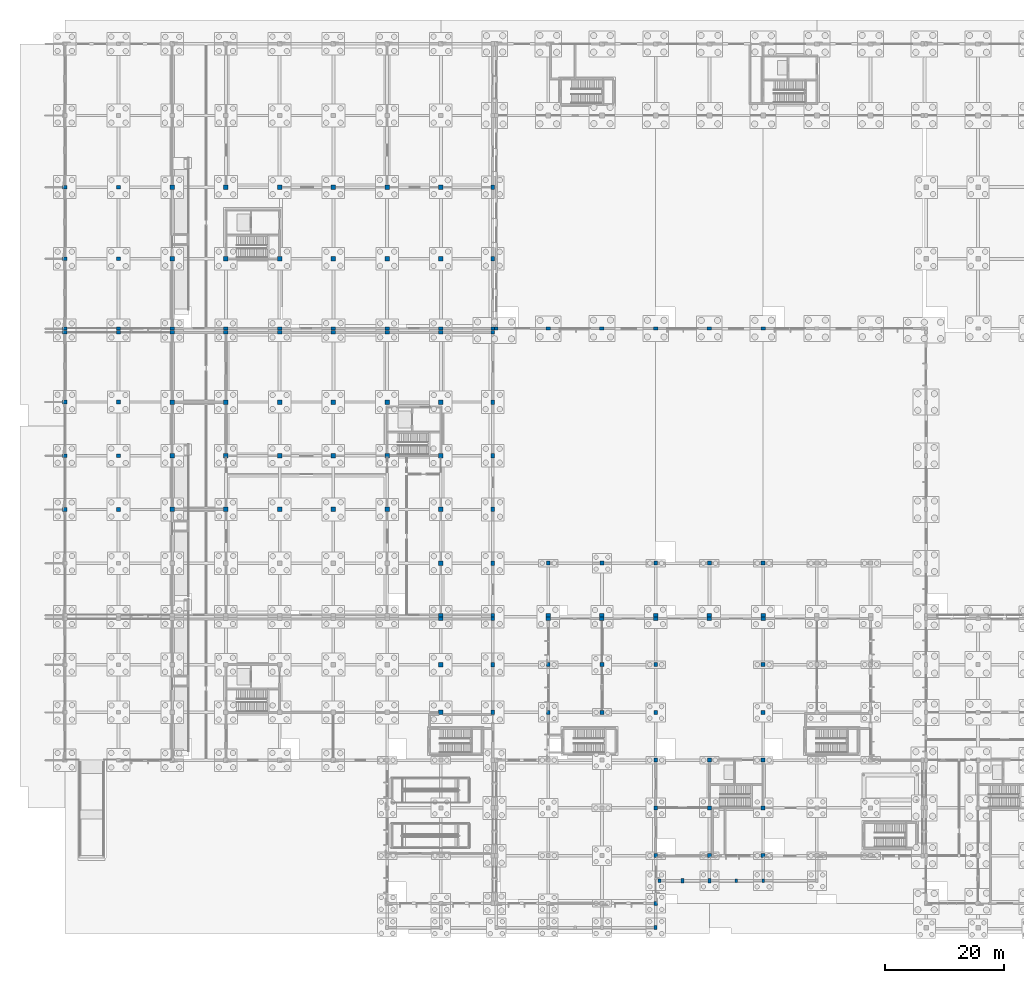
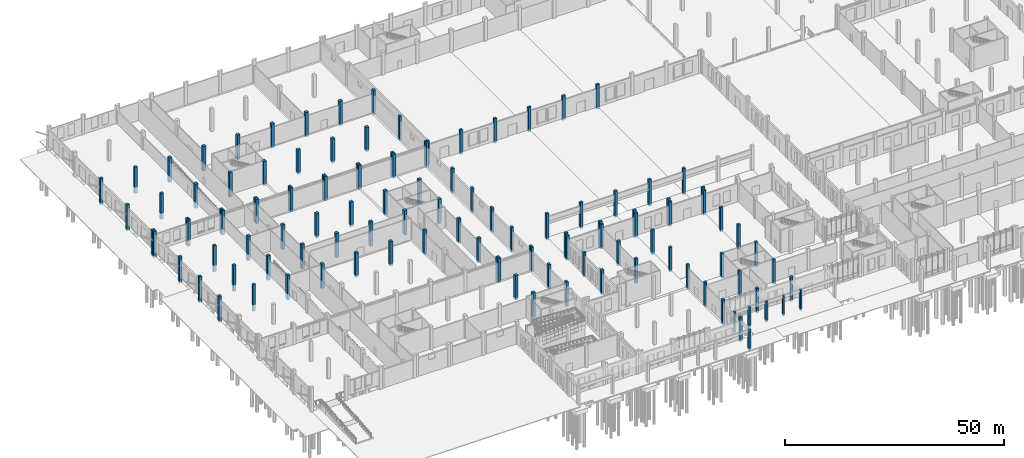
# One storey, part 29 of 99: 118 columns.
"""IFC4 building model written with IfcOpenShell, lengths in metres."""

from ifc_helpers import new_model, si_unit, direction, frame, origin, origin_2d, place, context, subcontext, project, spatial, rectangle, extrude, material, material_profile, profile_set, type_object, element, save


model = new_model("IFC4")

# Units and contexts
model_context = context("Model", 3, precision=1e-05, world=origin(), true_north=direction((0.0, 1.0)))
body_context = subcontext(model_context, "Body", "Model", "MODEL_VIEW")
ifc_project = project(units=[si_unit("LENGTHUNIT", "METRE"), si_unit("AREAUNIT", "SQUARE_METRE"), si_unit("VOLUMEUNIT", "CUBIC_METRE"), si_unit("PLANEANGLEUNIT", "RADIAN"), si_unit("MASSUNIT", "GRAM", prefix="KILO")], contexts=[model_context])

# Site, building, storey
site_placement = place(None, origin())
site = spatial("IfcSite", under=ifc_project, at=site_placement, CompositionType="ELEMENT")
building_placement = place(site_placement, origin())
building = spatial("IfcBuilding", under=site, at=building_placement, Name="Zacnel Wholesale Market", CompositionType="ELEMENT")
storey_placement = place(building_placement, origin())
storey = spatial("IfcBuildingStorey", under=building, at=storey_placement, Name="L01", CompositionType="ELEMENT", Elevation=0.0)

# Columns
ifc_material_1 = material(Name="Precast concrete C45/55", Category="concrete")
ifc_material_profile_1 = material_profile(ifc_material_1, rectangle(XDim=0.550048828125, YDim=0.75, at=origin_2d()), Name="PC 550x750")
ifc_profile_set_1 = profile_set([ifc_material_profile_1], Name="Precast concrete C45/55")
column_type_1 = type_object("IfcColumnType", Name="COL-MJ550X750", PredefinedType="COLUMN", material=ifc_profile_set_1)
for number, where, z_axis, x_axis, name in (
    (1, (71.699951171875, 32.0, -0.5), (0.0, 0.0, 1.0), (1.0, 0.0, 0.0), "Precast column L01-0131"),
    (2, (71.699951171875, 40.0, -0.5), (0.0, 0.0, 1.0), (1.0, 0.0, 0.0), "Precast column L01-0132"),
    (3, (71.699951171875, 57.0, -0.5), (0.0, 0.0, 1.0), (1.0, 0.0, 0.0), "Precast column L01-0135"),
    (4, (71.699951171875, 66.0, -0.5), (0.0, 0.0, 1.0), (1.0, 0.0, 0.0), "Precast column L01-0136"),
    (5, (71.699951171875, 75.0, -0.5), (0.0, 0.0, 1.0), (1.0, 0.0, 0.0), "Precast column L01-0137"),
    (6, (71.699951171875, 84.0, -0.5), (0.0, 0.0, 1.0), (1.0, 0.0, 0.0), "Precast column L01-0138"),
    (7, (71.699951171875, 108.0, -0.5), (0.0, 0.0, 1.0), (1.0, 0.0, 0.0), "Precast column L01-0141"),
    (8, (71.699951171875, 120.0, -0.5), (0.0, 0.0, 1.0), (1.0, 0.0, 0.0), "Precast column L01-0142"),
):
    element("IfcColumn", number, at=place(storey_placement, frame(where, z_axis=z_axis, x_axis=x_axis)), inside=storey, type_object=column_type_1, Name=name, PredefinedType="COLUMN", context=body_context, shape_type="SweptSolid", body=[
        extrude(rectangle(XDim=0.550048828125, YDim=0.75, at=origin_2d()), origin(), (0.0, 0.0, 1.0), 6.800048828125),
    ])
ifc_material_2 = material(Name="Precast concrete C45/55", Category="concrete")
ifc_material_profile_2 = material_profile(ifc_material_2, rectangle(XDim=0.75, YDim=0.550048828125, at=origin_2d()), Name="PC 750x550")
ifc_profile_set_2 = profile_set([ifc_material_profile_2], Name="Precast concrete C45/55")
column_type_2 = type_object("IfcColumnType", Name="COL-MJ750X550", PredefinedType="COLUMN", material=ifc_profile_set_2)
for number, where, z_axis, x_axis, name in (
    (9, (0.0, 95.699951171875, -0.5), (0.0, 0.0, 1.0), (1.0, 0.0, 0.0), "Precast column L01-0010"),
    (10, (0.0, 96.300048828125, -0.5), (0.0, 0.0, 1.0), (1.0, 0.0, 0.0), "Precast column L01-0011"),
    (11, (9.0, 95.699951171875, -0.5), (0.0, 0.0, 1.0), (1.0, 0.0, 0.0), "Precast column L01-0025"),
    (12, (9.0, 96.300048828125, -0.5), (0.0, 0.0, 1.0), (1.0, 0.0, 0.0), "Precast column L01-0026"),
):
    element("IfcColumn", number, at=place(storey_placement, frame(where, z_axis=z_axis, x_axis=x_axis)), inside=storey, type_object=column_type_2, Name=name, PredefinedType="COLUMN", context=body_context, shape_type="SweptSolid", body=[
        extrude(rectangle(XDim=0.75, YDim=0.550048828125, at=origin_2d()), origin(), (0.0, 0.0, 1.0), 7.300048828125),
    ])
for number, where, z_axis, x_axis, name in (
    (13, (18.0, 95.699951171875, -0.5), (0.0, 0.0, 1.0), (1.0, 0.0, 0.0), "Precast column L01-0040"),
    (14, (18.0, 96.300048828125, -0.5), (0.0, 0.0, 1.0), (1.0, 0.0, 0.0), "Precast column L01-0041"),
    (15, (27.0, 95.699951171875, -0.5), (0.0, 0.0, 1.0), (1.0, 0.0, 0.0), "Precast column L01-0055"),
    (16, (27.0, 96.300048828125, -0.5), (0.0, 0.0, 1.0), (1.0, 0.0, 0.0), "Precast column L01-0056"),
    (17, (36.0, 95.699951171875, -0.5), (0.0, 0.0, 1.0), (1.0, 0.0, 0.0), "Precast column L01-0070"),
    (18, (36.0, 96.300048828125, -0.5), (0.0, 0.0, 1.0), (1.0, 0.0, 0.0), "Precast column L01-0071"),
    (19, (45.0, 95.699951171875, -0.5), (0.0, 0.0, 1.0), (1.0, 0.0, 0.0), "Precast column L01-0085"),
    (20, (45.0, 96.300048828125, -0.5), (0.0, 0.0, 1.0), (1.0, 0.0, 0.0), "Precast column L01-0086"),
    (21, (54.0, 95.699951171875, -0.5), (0.0, 0.0, 1.0), (1.0, 0.0, 0.0), "Precast column L01-0103"),
    (22, (54.0, 96.300048828125, -0.5), (0.0, 0.0, 1.0), (1.0, 0.0, 0.0), "Precast column L01-0104"),
    (23, (63.0, 47.699951171875, -0.5), (0.0, 0.0, 1.0), (1.0, 0.0, 0.0), "Precast column L01-0115"),
    (24, (63.0, 48.300048828125, -0.5), (0.0, 0.0, 1.0), (1.0, 0.0, 0.0), "Precast column L01-0116"),
    (25, (63.0, 95.699951171875, -0.5), (0.0, 0.0, 1.0), (1.0, 0.0, 0.0), "Precast column L01-0121"),
    (26, (63.0, 96.300048828125, -0.5), (0.0, 0.0, 1.0), (1.0, 0.0, 0.0), "Precast column L01-0122"),
    (27, (81.0, 47.699951171875, -0.5), (0.0, 0.0, 1.0), (1.0, 0.0, 0.0), "Precast column L01-0158"),
):
    element("IfcColumn", number, at=place(storey_placement, frame(where, z_axis=z_axis, x_axis=x_axis)), inside=storey, type_object=column_type_2, Name=name, PredefinedType="COLUMN", context=body_context, shape_type="SweptSolid", body=[
        extrude(rectangle(XDim=0.75, YDim=0.550048828125, at=origin_2d()), origin(), (0.0, 0.0, 1.0), 6.800048828125),
    ])
column_1_placement = place(storey_placement, frame((81.0, 48.300048828125, -0.5), z_axis=(0.0, 0.0, 1.0), x_axis=(1.0, 0.0, 0.0)))
element("IfcColumn", 28, at=column_1_placement, inside=storey, type_object=column_type_2, Name="Precast column L01-0159", PredefinedType="COLUMN", context=body_context, shape_type="SweptSolid", body=[
    extrude(rectangle(XDim=0.75, YDim=0.550048828125, at=origin_2d()), origin(), (0.0, 0.0, 1.0), 7.300048828125),
])
for number, where, z_axis, x_axis, name in (
    (29, (81.0, 96.300048828125, -0.5), (0.0, 0.0, 1.0), (1.0, 0.0, 0.0), "Precast column L01-0161"),
    (30, (90.0, 47.699951171875, -0.5), (0.0, 0.0, 1.0), (1.0, 0.0, 0.0), "Precast column L01-0170"),
):
    element("IfcColumn", number, at=place(storey_placement, frame(where, z_axis=z_axis, x_axis=x_axis)), inside=storey, type_object=column_type_2, Name=name, PredefinedType="COLUMN", context=body_context, shape_type="SweptSolid", body=[
        extrude(rectangle(XDim=0.75, YDim=0.550048828125, at=origin_2d()), origin(), (0.0, 0.0, 1.0), 6.800048828125),
    ])
column_2_placement = place(storey_placement, frame((90.0, 48.300048828125, -0.5), z_axis=(0.0, 0.0, 1.0), x_axis=(1.0, 0.0, 0.0)))
element("IfcColumn", 31, at=column_2_placement, inside=storey, type_object=column_type_2, Name="Precast column L01-0171", PredefinedType="COLUMN", context=body_context, shape_type="SweptSolid", body=[
    extrude(rectangle(XDim=0.75, YDim=0.550048828125, at=origin_2d()), origin(), (0.0, 0.0, 1.0), 7.300048828125),
])
for number, where, z_axis, x_axis, name in (
    (32, (90.0, 96.300048828125, -0.5), (0.0, 0.0, 1.0), (1.0, 0.0, 0.0), "Precast column L01-0173"),
    (33, (99.0, 47.699951171875, -0.5), (0.0, 0.0, 1.0), (1.0, 0.0, 0.0), "Precast column L01-0182"),
):
    element("IfcColumn", number, at=place(storey_placement, frame(where, z_axis=z_axis, x_axis=x_axis)), inside=storey, type_object=column_type_2, Name=name, PredefinedType="COLUMN", context=body_context, shape_type="SweptSolid", body=[
        extrude(rectangle(XDim=0.75, YDim=0.550048828125, at=origin_2d()), origin(), (0.0, 0.0, 1.0), 6.800048828125),
    ])
column_3_placement = place(storey_placement, frame((99.0, 48.300048828125, -0.5), z_axis=(0.0, 0.0, 1.0), x_axis=(1.0, 0.0, 0.0)))
element("IfcColumn", 34, at=column_3_placement, inside=storey, type_object=column_type_2, Name="Precast column L01-0183", PredefinedType="COLUMN", context=body_context, shape_type="SweptSolid", body=[
    extrude(rectangle(XDim=0.75, YDim=0.550048828125, at=origin_2d()), origin(), (0.0, 0.0, 1.0), 7.300048828125),
])
for number, where, z_axis, x_axis, name in (
    (35, (99.0, 96.300048828125, -0.5), (0.0, 0.0, 1.0), (1.0, 0.0, 0.0), "Precast column L01-0185"),
    (36, (108.0, 47.699951171875, -0.5), (0.0, 0.0, 1.0), (1.0, 0.0, 0.0), "Precast column L01-0191"),
):
    element("IfcColumn", number, at=place(storey_placement, frame(where, z_axis=z_axis, x_axis=x_axis)), inside=storey, type_object=column_type_2, Name=name, PredefinedType="COLUMN", context=body_context, shape_type="SweptSolid", body=[
        extrude(rectangle(XDim=0.75, YDim=0.550048828125, at=origin_2d()), origin(), (0.0, 0.0, 1.0), 6.800048828125),
    ])
column_4_placement = place(storey_placement, frame((108.0, 48.300048828125, -0.5), z_axis=(0.0, 0.0, 1.0), x_axis=(1.0, 0.0, 0.0)))
element("IfcColumn", 37, at=column_4_placement, inside=storey, type_object=column_type_2, Name="Precast column L01-0192", PredefinedType="COLUMN", context=body_context, shape_type="SweptSolid", body=[
    extrude(rectangle(XDim=0.75, YDim=0.550048828125, at=origin_2d()), origin(), (0.0, 0.0, 1.0), 7.300048828125),
])
for number, where, z_axis, x_axis, name in (
    (38, (108.0, 96.300048828125, -0.5), (0.0, 0.0, 1.0), (1.0, 0.0, 0.0), "Precast column L01-0194"),
    (39, (117.0, 47.699951171875, -0.5), (0.0, 0.0, 1.0), (1.0, 0.0, 0.0), "Precast column L01-0202"),
):
    element("IfcColumn", number, at=place(storey_placement, frame(where, z_axis=z_axis, x_axis=x_axis)), inside=storey, type_object=column_type_2, Name=name, PredefinedType="COLUMN", context=body_context, shape_type="SweptSolid", body=[
        extrude(rectangle(XDim=0.75, YDim=0.550048828125, at=origin_2d()), origin(), (0.0, 0.0, 1.0), 6.800048828125),
    ])
column_5_placement = place(storey_placement, frame((117.0, 48.300048828125, -0.5), z_axis=(0.0, 0.0, 1.0), x_axis=(1.0, 0.0, 0.0)))
element("IfcColumn", 40, at=column_5_placement, inside=storey, type_object=column_type_2, Name="Precast column L01-0203", PredefinedType="COLUMN", context=body_context, shape_type="SweptSolid", body=[
    extrude(rectangle(XDim=0.75, YDim=0.550048828125, at=origin_2d()), origin(), (0.0, 0.0, 1.0), 7.300048828125),
])
column_6_placement = place(storey_placement, frame((117.0, 96.300048828125, -0.5), z_axis=(0.0, 0.0, 1.0), x_axis=(1.0, 0.0, 0.0)))
element("IfcColumn", 41, at=column_6_placement, inside=storey, type_object=column_type_2, Name="Precast column L01-0205", PredefinedType="COLUMN", context=body_context, shape_type="SweptSolid", body=[
    extrude(rectangle(XDim=0.75, YDim=0.550048828125, at=origin_2d()), origin(), (0.0, 0.0, 1.0), 6.800048828125),
])
ifc_material_3 = material(Name="Precast concrete C45/55", Category="concrete")
ifc_material_profile_3 = material_profile(ifc_material_3, rectangle(XDim=0.550048828125, YDim=0.550048828125, at=origin_2d()), Name="PC 550x550")
ifc_profile_set_3 = profile_set([ifc_material_profile_3], Name="Precast concrete C45/55")
column_type_3 = type_object("IfcColumnType", Name="COL-PC550", PredefinedType="COLUMN", material=ifc_profile_set_3)
for number, where, z_axis, x_axis, name in (
    (42, (71.699951171875, 47.699951171875, -0.5), (0.0, 0.0, 1.0), (1.0, 0.0, 0.0), "Precast column L01-0133"),
    (43, (71.699951171875, 48.300048828125, -0.5), (0.0, 0.0, 1.0), (1.0, 0.0, 0.0), "Precast column L01-0134"),
    (44, (71.699951171875, 95.699951171875, -0.5), (0.0, 0.0, 1.0), (1.0, 0.0, 0.0), "Precast column L01-0139"),
    (45, (71.699951171875, 96.300048828125, -0.5), (0.0, 0.0, 1.0), (1.0, 0.0, 0.0), "Precast column L01-0140"),
    (46, (72.300048828125, 96.300048828125, -0.5), (0.0, 0.0, 1.0), (1.0, 0.0, 0.0), "Precast column L01-0149"),
):
    element("IfcColumn", number, at=place(storey_placement, frame(where, z_axis=z_axis, x_axis=x_axis)), inside=storey, type_object=column_type_3, Name=name, PredefinedType="COLUMN", context=body_context, shape_type="SweptSolid", body=[
        extrude(rectangle(XDim=0.550048828125, YDim=0.550048828125, at=origin_2d()), origin(), (0.0, 0.0, 1.0), 6.800048828125),
    ])
ifc_material_4 = material(Name="Precast concrete C45/55", Category="concrete")
ifc_material_profile_4 = material_profile(ifc_material_4, rectangle(XDim=0.64990234375, YDim=0.64990234375, at=origin_2d()), Name="PC 650x650")
ifc_profile_set_4 = profile_set([ifc_material_profile_4], Name="Precast concrete C45/55")
column_type_4 = type_object("IfcColumnType", Name="COL-PC650", PredefinedType="COLUMN", material=ifc_profile_set_4)
for number, where, z_axis, x_axis, name in (
    (47, (81.0, 32.0, -0.5), (0.0, 0.0, 1.0), (1.0, 0.0, 0.0), "Precast column L01-0156"),
    (48, (81.0, 40.0, -0.5), (0.0, 0.0, 1.0), (1.0, 0.0, 0.0), "Precast column L01-0157"),
):
    element("IfcColumn", number, at=place(storey_placement, frame(where, z_axis=z_axis, x_axis=x_axis)), inside=storey, type_object=column_type_4, Name=name, PredefinedType="COLUMN", context=body_context, shape_type="SweptSolid", body=[
        extrude(rectangle(XDim=0.64990234375, YDim=0.64990234375, at=origin_2d()), origin(), (0.0, 0.0, 1.0), 6.800048828125),
    ])
column_7_placement = place(storey_placement, frame((81.0, 57.0, -0.5), z_axis=(0.0, 0.0, 1.0), x_axis=(1.0, 0.0, 0.0)))
element("IfcColumn", 49, at=column_7_placement, inside=storey, type_object=column_type_4, Name="Precast column L01-0160", PredefinedType="COLUMN", context=body_context, shape_type="SweptSolid", body=[
    extrude(rectangle(XDim=0.64990234375, YDim=0.64990234375, at=origin_2d()), origin(), (0.0, 0.0, 1.0), 7.300048828125),
])
for number, where, z_axis, x_axis, name in (
    (50, (90.0, 32.0, -0.5), (0.0, 0.0, 1.0), (1.0, 0.0, 0.0), "Precast column L01-0168"),
    (51, (90.0, 40.0, -0.5), (0.0, 0.0, 1.0), (1.0, 0.0, 0.0), "Precast column L01-0169"),
):
    element("IfcColumn", number, at=place(storey_placement, frame(where, z_axis=z_axis, x_axis=x_axis)), inside=storey, type_object=column_type_4, Name=name, PredefinedType="COLUMN", context=body_context, shape_type="SweptSolid", body=[
        extrude(rectangle(XDim=0.64990234375, YDim=0.64990234375, at=origin_2d()), origin(), (0.0, 0.0, 1.0), 6.800048828125),
    ])
column_8_placement = place(storey_placement, frame((90.0, 57.0, -0.5), z_axis=(0.0, 0.0, 1.0), x_axis=(1.0, 0.0, 0.0)))
element("IfcColumn", 52, at=column_8_placement, inside=storey, type_object=column_type_4, Name="Precast column L01-0172", PredefinedType="COLUMN", context=body_context, shape_type="SweptSolid", body=[
    extrude(rectangle(XDim=0.64990234375, YDim=0.64990234375, at=origin_2d()), origin(), (0.0, 0.0, 1.0), 7.300048828125),
])
for number, where, z_axis, x_axis, name in (
    (53, (99.0, 0.0, -0.5), (0.0, 0.0, 1.0), (1.0, 0.0, 0.0), "Precast column L01-0176"),
    (54, (99.0, 8.0, -0.5), (0.0, 0.0, 1.0), (1.0, 0.0, 0.0), "Precast column L01-0177"),
    (55, (99.0, 16.0, -0.5), (0.0, 0.0, 1.0), (1.0, 0.0, 0.0), "Precast column L01-0178"),
    (56, (99.0, 24.0, -0.5), (0.0, 0.0, 1.0), (1.0, 0.0, 0.0), "Precast column L01-0179"),
    (57, (99.0, 32.0, -0.5), (0.0, 0.0, 1.0), (1.0, 0.0, 0.0), "Precast column L01-0180"),
    (58, (99.0, 40.0, -0.5), (0.0, 0.0, 1.0), (1.0, 0.0, 0.0), "Precast column L01-0181"),
):
    element("IfcColumn", number, at=place(storey_placement, frame(where, z_axis=z_axis, x_axis=x_axis)), inside=storey, type_object=column_type_4, Name=name, PredefinedType="COLUMN", context=body_context, shape_type="SweptSolid", body=[
        extrude(rectangle(XDim=0.64990234375, YDim=0.64990234375, at=origin_2d()), origin(), (0.0, 0.0, 1.0), 6.800048828125),
    ])
column_9_placement = place(storey_placement, frame((99.0, 57.0, -0.5), z_axis=(0.0, 0.0, 1.0), x_axis=(1.0, 0.0, 0.0)))
element("IfcColumn", 59, at=column_9_placement, inside=storey, type_object=column_type_4, Name="Precast column L01-0184", PredefinedType="COLUMN", context=body_context, shape_type="SweptSolid", body=[
    extrude(rectangle(XDim=0.64990234375, YDim=0.64990234375, at=origin_2d()), origin(), (0.0, 0.0, 1.0), 7.300048828125),
])
for number, where, z_axis, x_axis, name in (
    (60, (108.0, 8.0, -0.5), (0.0, 0.0, 1.0), (1.0, 0.0, 0.0), "Precast column L01-0188"),
    (61, (108.0, 16.0, -0.5), (0.0, 0.0, 1.0), (1.0, 0.0, 0.0), "Precast column L01-0189"),
    (62, (108.0, 24.0, -0.5), (0.0, 0.0, 1.0), (1.0, 0.0, 0.0), "Precast column L01-0190"),
):
    element("IfcColumn", number, at=place(storey_placement, frame(where, z_axis=z_axis, x_axis=x_axis)), inside=storey, type_object=column_type_4, Name=name, PredefinedType="COLUMN", context=body_context, shape_type="SweptSolid", body=[
        extrude(rectangle(XDim=0.64990234375, YDim=0.64990234375, at=origin_2d()), origin(), (0.0, 0.0, 1.0), 6.800048828125),
    ])
column_10_placement = place(storey_placement, frame((108.0, 57.0, -0.5), z_axis=(0.0, 0.0, 1.0), x_axis=(1.0, 0.0, 0.0)))
element("IfcColumn", 63, at=column_10_placement, inside=storey, type_object=column_type_4, Name="Precast column L01-0193", PredefinedType="COLUMN", context=body_context, shape_type="SweptSolid", body=[
    extrude(rectangle(XDim=0.64990234375, YDim=0.64990234375, at=origin_2d()), origin(), (0.0, 0.0, 1.0), 7.300048828125),
])
for number, where, z_axis, x_axis, name in (
    (64, (117.0, 8.0, -0.5), (0.0, 0.0, 1.0), (1.0, 0.0, 0.0), "Precast column L01-0197"),
    (65, (117.0, 16.0, -0.5), (0.0, 0.0, 1.0), (1.0, 0.0, 0.0), "Precast column L01-0198"),
    (66, (117.0, 24.0, -0.5), (0.0, 0.0, 1.0), (1.0, 0.0, 0.0), "Precast column L01-0199"),
    (67, (117.0, 32.0, -0.5), (0.0, 0.0, 1.0), (1.0, 0.0, 0.0), "Precast column L01-0200"),
    (68, (117.0, 40.0, -0.5), (0.0, 0.0, 1.0), (1.0, 0.0, 0.0), "Precast column L01-0201"),
):
    element("IfcColumn", number, at=place(storey_placement, frame(where, z_axis=z_axis, x_axis=x_axis)), inside=storey, type_object=column_type_4, Name=name, PredefinedType="COLUMN", context=body_context, shape_type="SweptSolid", body=[
        extrude(rectangle(XDim=0.64990234375, YDim=0.64990234375, at=origin_2d()), origin(), (0.0, 0.0, 1.0), 6.800048828125),
    ])
column_11_placement = place(storey_placement, frame((117.0, 57.0, -0.5), z_axis=(0.0, 0.0, 1.0), x_axis=(1.0, 0.0, 0.0)))
element("IfcColumn", 69, at=column_11_placement, inside=storey, type_object=column_type_4, Name="Precast column L01-0204", PredefinedType="COLUMN", context=body_context, shape_type="SweptSolid", body=[
    extrude(rectangle(XDim=0.64990234375, YDim=0.64990234375, at=origin_2d()), origin(), (0.0, 0.0, 1.0), 7.300048828125),
])
ifc_material_5 = material(Name="Precast concrete C45/55", Category="concrete")
ifc_material_profile_5 = material_profile(ifc_material_5, rectangle(XDim=0.699951171875, YDim=0.60009765625, at=origin_2d()), Name="PC 700x600")
ifc_profile_set_5 = profile_set([ifc_material_profile_5], Name="Precast concrete C45/55")
column_type_5 = type_object("IfcColumnType", Name="COL-PC700X600", PredefinedType="COLUMN", material=ifc_profile_set_5)
for number, where, z_axis, x_axis, name in (
    (70, (0.0, 66.0, -0.5), (0.0, 0.0, 1.0), (1.0, 0.0, 0.0), "Precast column L01-0007"),
    (71, (0.0, 75.0, -0.5), (0.0, 0.0, 1.0), (1.0, 0.0, 0.0), "Precast column L01-0008"),
    (72, (0.0, 84.0, -0.5), (0.0, 0.0, 1.0), (1.0, 0.0, 0.0), "Precast column L01-0009"),
    (73, (0.0, 108.0, -0.5), (0.0, 0.0, 1.0), (1.0, 0.0, 0.0), "Precast column L01-0012"),
    (74, (0.0, 120.0, -0.5), (0.0, 0.0, 1.0), (1.0, 0.0, 0.0), "Precast column L01-0013"),
    (75, (9.0, 66.0, -0.5), (0.0, 0.0, 1.0), (1.0, 0.0, 0.0), "Precast column L01-0022"),
    (76, (9.0, 75.0, -0.5), (0.0, 0.0, 1.0), (1.0, 0.0, 0.0), "Precast column L01-0023"),
    (77, (9.0, 84.0, -0.5), (0.0, 0.0, 1.0), (1.0, 0.0, 0.0), "Precast column L01-0024"),
    (78, (9.0, 108.0, -0.5), (0.0, 0.0, 1.0), (1.0, 0.0, 0.0), "Precast column L01-0027"),
    (79, (9.0, 120.0, -0.5), (0.0, 0.0, 1.0), (1.0, 0.0, 0.0), "Precast column L01-0028"),
):
    element("IfcColumn", number, at=place(storey_placement, frame(where, z_axis=z_axis, x_axis=x_axis)), inside=storey, type_object=column_type_5, Name=name, PredefinedType="COLUMN", context=body_context, shape_type="SweptSolid", body=[
        extrude(rectangle(XDim=0.699951171875, YDim=0.60009765625, at=origin_2d()), origin(), (0.0, 0.0, 1.0), 7.300048828125),
    ])
ifc_material_6 = material(Name="Precast concrete C45/55", Category="concrete")
ifc_material_profile_6 = material_profile(ifc_material_6, rectangle(XDim=0.75, YDim=0.75, at=origin_2d()), Name="PC 750x750")
ifc_profile_set_6 = profile_set([ifc_material_profile_6], Name="Precast concrete C45/55")
column_type_6 = type_object("IfcColumnType", Name="COL-PC750", PredefinedType="COLUMN", material=ifc_profile_set_6)
for number, where, z_axis, x_axis, name in (
    (80, (18.0, 66.0, -0.5), (0.0, 0.0, 1.0), (1.0, 0.0, 0.0), "Precast column L01-0037"),
    (81, (18.0, 75.0, -0.5), (0.0, 0.0, 1.0), (1.0, 0.0, 0.0), "Precast column L01-0038"),
    (82, (18.0, 84.0, -0.5), (0.0, 0.0, 1.0), (1.0, 0.0, 0.0), "Precast column L01-0039"),
    (83, (18.0, 108.0, -0.5), (0.0, 0.0, 1.0), (1.0, 0.0, 0.0), "Precast column L01-0042"),
    (84, (18.0, 120.0, -0.5), (0.0, 0.0, 1.0), (1.0, 0.0, 0.0), "Precast column L01-0043"),
    (85, (27.0, 66.0, -0.5), (0.0, 0.0, 1.0), (1.0, 0.0, 0.0), "Precast column L01-0052"),
    (86, (27.0, 75.0, -0.5), (0.0, 0.0, 1.0), (1.0, 0.0, 0.0), "Precast column L01-0053"),
    (87, (27.0, 84.0, -0.5), (0.0, 0.0, 1.0), (1.0, 0.0, 0.0), "Precast column L01-0054"),
    (88, (27.0, 108.0, -0.5), (0.0, 0.0, 1.0), (1.0, 0.0, 0.0), "Precast column L01-0057"),
    (89, (27.0, 120.0, -0.5), (0.0, 0.0, 1.0), (1.0, 0.0, 0.0), "Precast column L01-0058"),
    (90, (36.0, 66.0, -0.5), (0.0, 0.0, 1.0), (1.0, 0.0, 0.0), "Precast column L01-0067"),
    (91, (36.0, 75.0, -0.5), (0.0, 0.0, 1.0), (1.0, 0.0, 0.0), "Precast column L01-0068"),
    (92, (36.0, 84.0, -0.5), (0.0, 0.0, 1.0), (1.0, 0.0, 0.0), "Precast column L01-0069"),
    (93, (36.0, 108.0, -0.5), (0.0, 0.0, 1.0), (1.0, 0.0, 0.0), "Precast column L01-0072"),
    (94, (36.0, 120.0, -0.5), (0.0, 0.0, 1.0), (1.0, 0.0, 0.0), "Precast column L01-0073"),
    (95, (45.0, 66.0, -0.5), (0.0, 0.0, 1.0), (1.0, 0.0, 0.0), "Precast column L01-0082"),
    (96, (45.0, 75.0, -0.5), (0.0, 0.0, 1.0), (1.0, 0.0, 0.0), "Precast column L01-0083"),
    (97, (45.0, 84.0, -0.5), (0.0, 0.0, 1.0), (1.0, 0.0, 0.0), "Precast column L01-0084"),
    (98, (45.0, 108.0, -0.5), (0.0, 0.0, 1.0), (1.0, 0.0, 0.0), "Precast column L01-0087"),
    (99, (45.0, 120.0, -0.5), (0.0, 0.0, 1.0), (1.0, 0.0, 0.0), "Precast column L01-0088"),
    (100, (54.0, 66.0, -0.5), (0.0, 0.0, 1.0), (1.0, 0.0, 0.0), "Precast column L01-0100"),
    (101, (54.0, 75.0, -0.5), (0.0, 0.0, 1.0), (1.0, 0.0, 0.0), "Precast column L01-0101"),
    (102, (54.0, 84.0, -0.5), (0.0, 0.0, 1.0), (1.0, 0.0, 0.0), "Precast column L01-0102"),
    (103, (54.0, 108.0, -0.5), (0.0, 0.0, 1.0), (1.0, 0.0, 0.0), "Precast column L01-0105"),
    (104, (54.0, 120.0, -0.5), (0.0, 0.0, 1.0), (1.0, 0.0, 0.0), "Precast column L01-0106"),
    (105, (63.0, 32.0, -0.5), (0.0, 0.0, 1.0), (1.0, 0.0, 0.0), "Precast column L01-0113"),
    (106, (63.0, 40.0, -0.5), (0.0, 0.0, 1.0), (1.0, 0.0, 0.0), "Precast column L01-0114"),
    (107, (63.0, 57.0, -0.5), (0.0, 0.0, 1.0), (1.0, 0.0, 0.0), "Precast column L01-0117"),
    (108, (63.0, 66.0, -0.5), (0.0, 0.0, 1.0), (1.0, 0.0, 0.0), "Precast column L01-0118"),
    (109, (63.0, 75.0, -0.5), (0.0, 0.0, 1.0), (1.0, 0.0, 0.0), "Precast column L01-0119"),
    (110, (63.0, 84.0, -0.5), (0.0, 0.0, 1.0), (1.0, 0.0, 0.0), "Precast column L01-0120"),
    (111, (63.0, 108.0, -0.5), (0.0, 0.0, 1.0), (1.0, 0.0, 0.0), "Precast column L01-0123"),
    (112, (63.0, 120.0, -0.5), (0.0, 0.0, 1.0), (1.0, 0.0, 0.0), "Precast column L01-0124"),
):
    element("IfcColumn", number, at=place(storey_placement, frame(where, z_axis=z_axis, x_axis=x_axis)), inside=storey, type_object=column_type_6, Name=name, PredefinedType="COLUMN", context=body_context, shape_type="SweptSolid", body=[
        extrude(rectangle(XDim=0.75, YDim=0.75, at=origin_2d()), origin(), (0.0, 0.0, 1.0), 6.800048828125),
    ])
ifc_material_7 = material(Name="Precast concrete C45/55", Category="concrete")
ifc_material_profile_7 = material_profile(ifc_material_7, rectangle(XDim=0.39990234375, YDim=0.550048828125, at=origin_2d()), Name="PIL 400x550")
ifc_profile_set_7 = profile_set([ifc_material_profile_7], Name="Precast concrete C45/55")
column_type_7 = type_object("IfcColumnType", Name="PIL-DEC400X550", PredefinedType="PILASTER", material=ifc_profile_set_7)
column_12_placement = place(storey_placement, frame((112.5, 3.800048828125, -0.5), z_axis=(0.0, 0.0, 1.0), x_axis=(1.0, 0.0, 0.0)))
element("IfcColumn", 113, at=column_12_placement, inside=storey, type_object=column_type_7, Name="Mayan-Deco colonnade pilaster 12", PredefinedType="PILASTER", context=body_context, shape_type="SweptSolid", body=[
    extrude(rectangle(XDim=0.39990234375, YDim=0.550048828125, at=origin_2d()), origin(), (0.0, 0.0, 1.0), 5.77001953125),
])
ifc_material_8 = material(Name="Precast concrete C45/55", Category="concrete")
ifc_material_profile_8 = material_profile(ifc_material_8, rectangle(XDim=0.449951171875, YDim=0.64990234375, at=origin_2d()), Name="PIL 450x650")
ifc_profile_set_8 = profile_set([ifc_material_profile_8], Name="Precast concrete C45/55")
column_type_8 = type_object("IfcColumnType", Name="PIL-DEC450X650", PredefinedType="PILASTER", material=ifc_profile_set_8)
for number, where, z_axis, x_axis, name in (
    (114, (117.0, 3.800048828125, -0.5), (0.0, 0.0, 1.0), (1.0, 0.0, 0.0), "Mayan-Deco colonnade pilaster 09"),
    (115, (99.64990234375, 3.800048828125, -0.5), (0.0, 0.0, 1.0), (1.0, 0.0, 0.0), "Mayan-Deco colonnade pilaster 13"),
):
    element("IfcColumn", number, at=place(storey_placement, frame(where, z_axis=z_axis, x_axis=x_axis)), inside=storey, type_object=column_type_8, Name=name, PredefinedType="PILASTER", context=body_context, shape_type="SweptSolid", body=[
        extrude(rectangle(XDim=0.449951171875, YDim=0.64990234375, at=origin_2d()), origin(), (0.0, 0.0, 1.0), 5.77001953125),
    ])
ifc_material_9 = material(Name="Precast concrete C45/55", Category="concrete")
ifc_material_profile_9 = material_profile(ifc_material_9, rectangle(XDim=0.5, YDim=0.699951171875, at=origin_2d()), Name="PIL 500x700")
ifc_profile_set_9 = profile_set([ifc_material_profile_9], Name="Precast concrete C45/55")
column_type_9 = type_object("IfcColumnType", Name="PIL-DEC500X700", PredefinedType="PILASTER", material=ifc_profile_set_9)
for number, where, z_axis, x_axis, name in (
    (116, (99.0, -4.050048828125, -0.5), (0.0, 0.0, 1.0), (1.0, 0.0, 0.0), "Mayan-Deco colonnade pilaster 06"),
    (117, (103.5, 3.800048828125, -0.5), (0.0, 0.0, 1.0), (1.0, 0.0, 0.0), "Mayan-Deco colonnade pilaster 07"),
    (118, (108.0, 3.800048828125, -0.5), (0.0, 0.0, 1.0), (1.0, 0.0, 0.0), "Mayan-Deco colonnade pilaster 08"),
):
    element("IfcColumn", number, at=place(storey_placement, frame(where, z_axis=z_axis, x_axis=x_axis)), inside=storey, type_object=column_type_9, Name=name, PredefinedType="PILASTER", context=body_context, shape_type="SweptSolid", body=[
        extrude(rectangle(XDim=0.5, YDim=0.699951171875, at=origin_2d()), origin(), (0.0, 0.0, 1.0), 5.77001953125),
    ])

save(model, "model.ifc")
